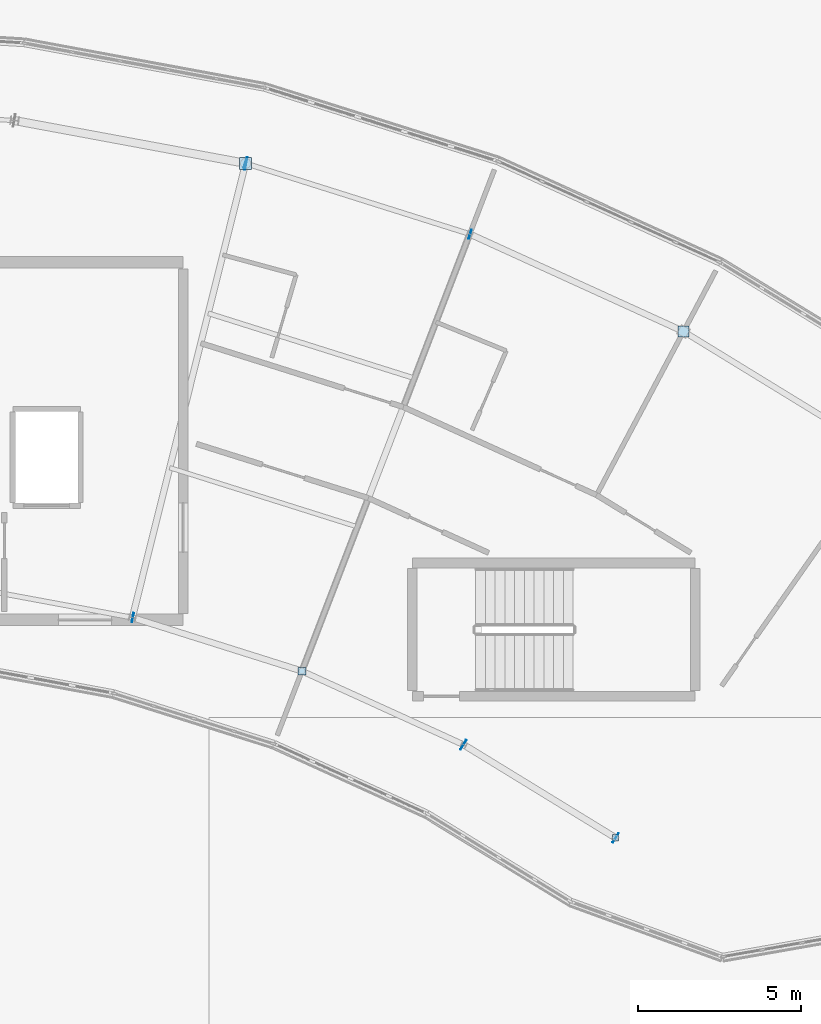
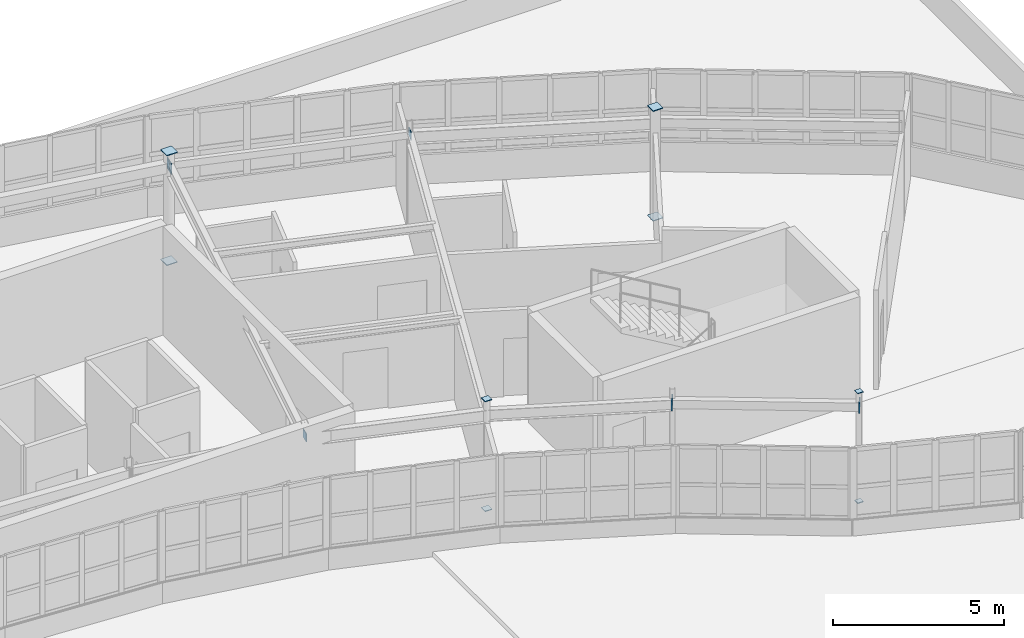
# One storey, part 94 of 128: 14 plates.
"""IFC4 building model written with IfcOpenShell, lengths in metres."""

import ifcopenshell
import ifcopenshell.guid

model = None  # the IFC model being written
_history = None  # IfcOwnerHistory: only IFC2X3 demands one
_inside = {}  # id of a spatial element -> (the spatial element, [elements in it])
_under = {}  # id of a project, library or spatial element -> (it, [spatial elements below it])
_declared = {}  # id of a project -> (the project, [libraries it declares])
_typed = {}  # id of a type object -> (the type object, [elements of that type])
_made_of = {}  # id of a material, layer set ... -> (it, [elements and type objects made of it])


def new_model(schema):
    """Start an empty IFC model of exactly this schema.

    Asked for "IFC4X3", IfcOpenShell would pick the latest addendum, in which some entities
    have other attributes; the version numbers below select the first issue.
    IFC2X3 requires an IfcOwnerHistory on every rooted entity: one is made here for all.
    """
    global model, _history
    if schema == "IFC4X3":
        model = ifcopenshell.file(schema_version=(4, 3, 0, 0))
    else:
        model = ifcopenshell.file(schema=schema)
    _inside.clear()
    _under.clear()
    _declared.clear()
    _typed.clear()
    _made_of.clear()
    _history = None
    if model.schema == "IFC2X3":
        org = make("IfcOrganization", Name="unknown")
        user = make(
            "IfcPersonAndOrganization",
            ThePerson=make("IfcPerson", FamilyName="unknown"),
            TheOrganization=org,
        )
        app = make(
            "IfcApplication",
            ApplicationDeveloper=org,
            Version="unknown",
            ApplicationFullName="unknown",
            ApplicationIdentifier="unknown",
        )
        _history = make(
            "IfcOwnerHistory",
            OwningUser=user,
            OwningApplication=app,
            ChangeAction="ADDED",
            CreationDate=0,
        )
    return model


def make(cls, **values):
    """One entity of the class cls with the attributes given. An attribute that is None is left unset."""
    return model.create_entity(
        cls, **{name: value for name, value in values.items() if value is not None}
    )


def rooted(cls, **values):
    """An entity with a GlobalId (a new one), such as an element, a storey or a relation."""
    return make(cls, GlobalId=ifcopenshell.guid.new(), OwnerHistory=_history, **values)


def si_unit(unit_type, name, prefix=None):
    """IfcSIUnit, for example si_unit("LENGTHUNIT", "METRE", prefix="MILLI")."""
    return make("IfcSIUnit", UnitType=unit_type, Prefix=prefix, Name=name)


def assignment(units):
    """IfcUnitAssignment: the units of a project."""
    return None if units is None else make("IfcUnitAssignment", Units=units)


def point(xyz):
    """IfcCartesianPoint."""
    return None if xyz is None else make("IfcCartesianPoint", Coordinates=xyz)


def direction(xyz):
    """IfcDirection."""
    return None if xyz is None else make("IfcDirection", DirectionRatios=xyz)


def frame(location, z_axis=None, x_axis=None):
    """IfcAxis2Placement3D, a coordinate frame: its origin and axes. An axis left out is left unset."""
    return make(
        "IfcAxis2Placement3D",
        Location=point(location),
        Axis=direction(z_axis),
        RefDirection=direction(x_axis),
    )


def frame_2d(location, x_axis=None):
    """IfcAxis2Placement2D, a coordinate frame in the plane: its origin and x axis."""
    return make(
        "IfcAxis2Placement2D", Location=point(location), RefDirection=direction(x_axis)
    )


def origin():
    """The frame at (0, 0, 0) with its axes left unset."""
    return frame((0.0, 0.0, 0.0))


def origin_2d():
    """The frame at (0, 0) in the plane with its x axis left unset."""
    return frame_2d((0.0, 0.0))


def place(relative_to, where):
    """IfcLocalPlacement: puts the frame where relative to a parent placement (None: the world)."""
    return make(
        "IfcLocalPlacement", PlacementRelTo=relative_to, RelativePlacement=where
    )


def context(
    kind, dimensions, precision=None, world=None, true_north=None, identifier=None
):
    """IfcGeometricRepresentationContext, for example the 3D "Model" context."""
    return make(
        "IfcGeometricRepresentationContext",
        ContextIdentifier=identifier,
        ContextType=kind,
        CoordinateSpaceDimension=dimensions,
        Precision=precision,
        WorldCoordinateSystem=world,
        TrueNorth=true_north,
    )


def subcontext(parent, identifier, kind, view, scale=None):
    """IfcGeometricRepresentationSubContext, for example "Body" below "Model"."""
    return make(
        "IfcGeometricRepresentationSubContext",
        ContextIdentifier=identifier,
        ContextType=kind,
        ParentContext=parent,
        TargetScale=scale,
        TargetView=view,
    )


def project(units=None, contexts=None):
    """IfcProject with its units and contexts."""
    return rooted(
        "IfcProject",
        Name="project",
        RepresentationContexts=contexts,
        UnitsInContext=assignment(units),
    )


def spatial(cls, under=None, at=None, **own):
    """A site, building, storey or space (cls), placed at a placement, below another one or the project."""
    s = rooted(cls, ObjectPlacement=at, **own)
    if under is not None:
        _under.setdefault(under.id(), (under, []))[1].append(s)
    return s


def profile(cls, at=None, kind="AREA", **sizes):
    """A parametric profile (cls). Its sizes go by their IFC names, for example OverallWidth=200.0."""
    return make(cls, ProfileType=kind, Position=at, **sizes)


def rectangle(**sizes):
    """IfcRectangleProfileDef."""
    return profile("IfcRectangleProfileDef", **sizes)


def extrude(swept, where, along, depth):
    """IfcExtrudedAreaSolid: the profile swept, set in the frame where, extruded along a direction by depth."""
    return make(
        "IfcExtrudedAreaSolid",
        SweptArea=swept,
        Position=where,
        ExtrudedDirection=direction(along),
        Depth=depth,
    )


def shape(context_of_items, identifier, shape_type, items):
    """IfcShapeRepresentation: the items that make up one representation, for example the "Body"."""
    return make(
        "IfcShapeRepresentation",
        ContextOfItems=context_of_items,
        RepresentationIdentifier=identifier,
        RepresentationType=shape_type,
        Items=items,
    )


def material(Name=None, Category=None):
    """IfcMaterial."""
    return make("IfcMaterial", Name=Name, Category=Category)


def layer(
    of_material, thickness, ventilated=None, Name=None, Category=None, Priority=None
):
    """IfcMaterialLayer: one layer of a wall or slab, of a material (None: an air gap)."""
    return make(
        "IfcMaterialLayer",
        Material=of_material,
        LayerThickness=thickness,
        IsVentilated=ventilated,
        Name=Name,
        Category=Category,
        Priority=Priority,
    )


def layer_set(layers, Name=None):
    """IfcMaterialLayerSet."""
    return make("IfcMaterialLayerSet", MaterialLayers=layers, LayerSetName=Name)


def made_of(thing, what):
    """Note that an element or type object is made of a material, layer set ...; save() writes the relation."""
    if what is not None:
        _made_of.setdefault(what.id(), (what, []))[1].append(thing)
    return thing


def type_object(cls, material=None, **own):
    """A type object (cls), such as IfcWallType, which elements share."""
    return made_of(rooted(cls, **own), material)


def element(
    cls,
    number,
    at=None,
    inside=None,
    cuts=None,
    type_object=None,
    material=None,
    context=None,
    identifier="Body",
    shape_type=None,
    held_by="IfcProductDefinitionShape",
    body=None,
    shapes=None,
    **own,
):
    """One element of the class cls, such as IfcWall. Its Tag is "e" and its number.

    at: its placement. inside: the storey or other place that contains it. cuts: it is an
    opening in that element (IfcRelVoidsElement). A single representation is given by context,
    identifier, shape_type and body (its items); several are given by shapes. held_by: the class
    of the entity that holds the representations. save() writes the other relations.
    """
    e = rooted(cls, Tag="e%d" % number, ObjectPlacement=at, **own)
    if body is not None:
        shapes = [shape(context, identifier, shape_type, body)]
    if shapes is not None:
        e.Representation = make(held_by, Representations=shapes)
    if inside is not None:
        _inside.setdefault(inside.id(), (inside, []))[1].append(e)
    if cuts is not None:
        rooted(
            "IfcRelVoidsElement", RelatingBuildingElement=cuts, RelatedOpeningElement=e
        )
    if type_object is not None:
        _typed.setdefault(type_object.id(), (type_object, []))[1].append(e)
    return made_of(e, material)


def aggregate(whole, parts):
    """IfcRelAggregates: a whole, such as a stair, and the parts it consists of."""
    return rooted("IfcRelAggregates", RelatingObject=whole, RelatedObjects=parts)


def save(model, path):
    """Write the relations noted so far, then the file.

    IfcRelAggregates (storeys below a building ...), IfcRelContainedInSpatialStructure (elements
    in a storey), IfcRelDefinesByType, IfcRelAssociatesMaterial and IfcRelDeclares: one each for
    every whole, place, type object, material and project.
    """
    for whole, parts in _under.values():
        aggregate(whole, parts)
    for where, things in _inside.values():
        rooted(
            "IfcRelContainedInSpatialStructure",
            RelatedElements=things,
            RelatingStructure=where,
        )
    for kind, things in _typed.values():
        rooted("IfcRelDefinesByType", RelatedObjects=things, RelatingType=kind)
    for what, things in _made_of.values():
        rooted("IfcRelAssociatesMaterial", RelatedObjects=things, RelatingMaterial=what)
    for by, libraries in _declared.values():
        rooted("IfcRelDeclares", RelatingContext=by, RelatedDefinitions=libraries)
    model.write(path)


model = new_model("IFC4")

# Units and contexts
model_context = context("Model", 3, precision=1e-05, world=origin(), true_north=direction((0.0, 1.0)))
body_context = subcontext(model_context, "Body", "Model", "MODEL_VIEW")
ifc_project = project(units=[si_unit("LENGTHUNIT", "METRE"), si_unit("AREAUNIT", "SQUARE_METRE"), si_unit("VOLUMEUNIT", "CUBIC_METRE"), si_unit("PLANEANGLEUNIT", "RADIAN"), si_unit("MASSUNIT", "GRAM", prefix="KILO")], contexts=[model_context])

# Site, building, storey
site_placement = place(None, origin())
site = spatial("IfcSite", under=ifc_project, at=site_placement, CompositionType="ELEMENT")
building_placement = place(site_placement, origin())
building = spatial("IfcBuilding", under=site, at=building_placement, Name="Tarnwether General Hospital", CompositionType="ELEMENT")
storey_placement = place(building_placement, frame((0.0, 0.0, 14.39990234375)))
storey = spatial("IfcBuildingStorey", under=building, at=storey_placement, Name="L03", CompositionType="ELEMENT", Elevation=14.39990234375)

# Plates
ifc_material = material(Name="Steel Grade 350 (350 MPa)", Category="steel")
ifc_layer = layer(ifc_material, 0.02490234375)
ifc_layer_set = layer_set([ifc_layer], Name="Steel Grade 350 (350 MPa)")
plate_type = type_object("IfcPlateType", Name="PT-GUS2", PredefinedType="USERDEFINED", material=ifc_layer_set)
for number, where, z_axis, x_axis, name in (
    (1, (106.322021484375, 120.44189453125, -0.02490234375), (0.0, 0.0, 1.0), (1.0, 0.0, 0.0), "Hollow Section Welded End Cap Plate 0553"),
    (2, (106.322021484375, 120.44189453125, 3.900146484375), (0.0, 0.0, 1.0), (1.0, 0.0, 0.0), "Hollow Section Welded End Cap Plate 0554"),
):
    element("IfcPlate", number, at=place(storey_placement, frame(where, z_axis=z_axis, x_axis=x_axis)), inside=storey, type_object=plate_type, Name=name, ObjectType="GUSSET", PredefinedType="USERDEFINED", context=body_context, shape_type="SweptSolid", body=[
        extrude(rectangle(XDim=0.364013671875, YDim=0.364013671875, at=origin_2d()), origin(), (0.0, 0.0, 1.0), 0.02490234375),
    ])
for number, where, z_axis, x_axis, name in (
    (3, (108.054931640625, 104.823974609375, -0.02490234375), (0.0, 0.0, 1.0), (1.0, 0.0, 0.0), "Hollow Section Welded End Cap Plate 0573"),
    (4, (108.054931640625, 104.823974609375, 3.900146484375), (0.0, 0.0, 1.0), (1.0, 0.0, 0.0), "Hollow Section Welded End Cap Plate 0574"),
):
    element("IfcPlate", number, at=place(storey_placement, frame(where, z_axis=z_axis, x_axis=x_axis)), inside=storey, type_object=plate_type, Name=name, ObjectType="GUSSET", PredefinedType="USERDEFINED", context=body_context, shape_type="SweptSolid", body=[
        extrude(rectangle(XDim=0.23388671875, YDim=0.23388671875, at=origin_2d()), origin(), (0.0, 0.0, 1.0), 0.02490234375),
    ])
for number, where, z_axis, x_axis, name in (
    (5, (119.79296875, 115.27001953125, -0.02490234375), (0.0, 0.0, 1.0), (1.0, 0.0, 0.0), "Hollow Section Welded End Cap Plate 0583"),
    (6, (119.79296875, 115.27001953125, 3.900146484375), (0.0, 0.0, 1.0), (1.0, 0.0, 0.0), "Hollow Section Welded End Cap Plate 0584"),
):
    element("IfcPlate", number, at=place(storey_placement, frame(where, z_axis=z_axis, x_axis=x_axis)), inside=storey, type_object=plate_type, Name=name, ObjectType="GUSSET", PredefinedType="USERDEFINED", context=body_context, shape_type="SweptSolid", body=[
        extrude(rectangle(XDim=0.340087890625, YDim=0.340087890625, at=origin_2d()), origin(), (0.0, 0.0, 1.0), 0.02490234375),
    ])
for number, where, z_axis, x_axis, name in (
    (7, (117.696044921875, 99.697998046875, -0.02490234375), (0.0, 0.0, 1.0), (1.0, 0.0, 0.0), "Hollow Section Welded End Cap Plate 0609"),
    (8, (117.696044921875, 99.697998046875, 3.900146484375), (0.0, 0.0, 1.0), (1.0, 0.0, 0.0), "Hollow Section Welded End Cap Plate 0610"),
):
    element("IfcPlate", number, at=place(storey_placement, frame(where, z_axis=z_axis, x_axis=x_axis)), inside=storey, type_object=plate_type, Name=name, ObjectType="GUSSET", PredefinedType="USERDEFINED", context=body_context, shape_type="SweptSolid", body=[
        extrude(rectangle(XDim=0.18994140625, YDim=0.18994140625, at=origin_2d()), origin(), (0.0, 0.0, 1.0), 0.02490234375),
    ])
plate_placement = place(storey_placement, frame((106.334228515625, 120.439697265625, 3.18994140625), z_axis=(0.0, 0.0, 1.0), x_axis=(0.983261268185, -0.18220120331, 0.0)))
element("IfcPlate", 9, at=plate_placement, inside=storey, type_object=plate_type, Name="Hollow Section Welded End Cap Plate 1016", ObjectType="GUSSET", PredefinedType="USERDEFINED", context=body_context, shape_type="SweptSolid", body=[
    extrude(rectangle(XDim=0.02490234375, YDim=0.389892578125, at=origin_2d()), origin(), (0.0, 0.0, 1.0), 0.389892578125),
])
for number, where, z_axis, x_axis, name in (
    (10, (102.850341796875, 106.466796875, 3.2900390625), (0.0, 0.0, 1.0), (0.983245364386, -0.182287008349, 0.0), "Hollow Section Welded End Cap Plate 1018"),
    (11, (106.31005859375, 120.44580078125, 3.2900390625), (0.0, 0.0, 1.0), (0.953690705585, -0.300789025864, 0.0), "Hollow Section Welded End Cap Plate 1019"),
    (12, (113.226806640625, 118.26416015625, 3.2900390625), (0.0, 0.0, 1.0), (0.953690705585, -0.300789025864, 0.0), "Hollow Section Welded End Cap Plate 1020"),
):
    element("IfcPlate", number, at=place(storey_placement, frame(where, z_axis=z_axis, x_axis=x_axis)), inside=storey, type_object=plate_type, Name=name, ObjectType="GUSSET", PredefinedType="USERDEFINED", context=body_context, shape_type="SweptSolid", body=[
        extrude(rectangle(XDim=0.02490234375, YDim=0.2900390625, at=origin_2d()), origin(), (0.0, 0.0, 1.0), 0.2900390625),
    ])
for number, where, z_axis, x_axis, name in (
    (13, (113.021240234375, 102.5625, 3.240234375), (0.0, 0.0, 1.0), (0.852649283545, -0.522483683258, 0.0), "Hollow Section Welded End Cap Plate 1021"),
    (14, (117.706787109375, 99.69140625, 3.240234375), (0.0, 0.0, 1.0), (0.852649283545, -0.522483683258, 0.0), "Hollow Section Welded End Cap Plate 1022"),
):
    element("IfcPlate", number, at=place(storey_placement, frame(where, z_axis=z_axis, x_axis=x_axis)), inside=storey, type_object=plate_type, Name=name, ObjectType="GUSSET", PredefinedType="USERDEFINED", context=body_context, shape_type="SweptSolid", body=[
        extrude(rectangle(XDim=0.02490234375, YDim=0.340087890625, at=origin_2d()), origin(), (0.0, 0.0, 1.0), 0.340087890625),
    ])

save(model, "model.ifc")
